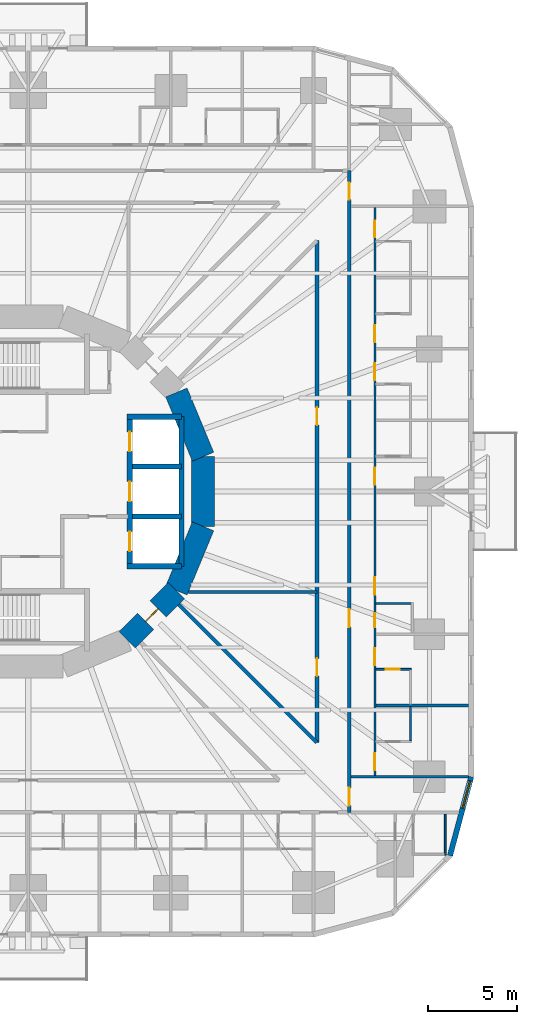
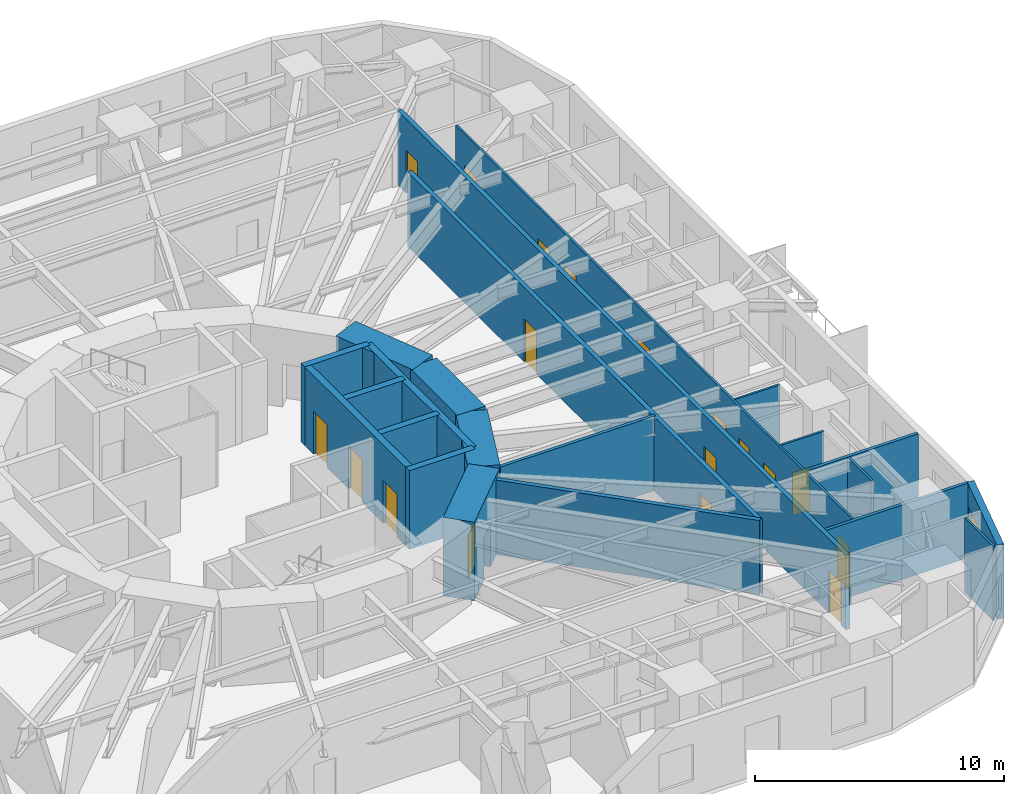
# One storey, part 8 of 14: 22 walls, 18 doors, 1 window, 19 openings.
"""IFC4 building model written with IfcOpenShell, lengths in metres."""

from ifc_helpers import new_model, si_unit, direction, frame, frame_2d, origin, place, context, subcontext, project, spatial, rectangle, extrude, material, layer, layer_set, type_object, element, fill, save


model = new_model("IFC4")

# Units and contexts
model_context = context("Model", 3, precision=1e-05, world=origin(), true_north=direction((0.0, 1.0)))
body_context = subcontext(model_context, "Body", "Model", "MODEL_VIEW")
ifc_project = project(units=[si_unit("LENGTHUNIT", "METRE"), si_unit("AREAUNIT", "SQUARE_METRE"), si_unit("VOLUMEUNIT", "CUBIC_METRE"), si_unit("PLANEANGLEUNIT", "RADIAN"), si_unit("MASSUNIT", "GRAM", prefix="KILO")], contexts=[model_context])

# Site, building, storey
site_placement = place(None, origin())
site = spatial("IfcSite", under=ifc_project, at=site_placement, CompositionType="ELEMENT")
building_placement = place(site_placement, origin())
building = spatial("IfcBuilding", under=site, at=building_placement, Name="Nakasero Lantern House", CompositionType="ELEMENT")
storey_placement = place(building_placement, frame((0.0, 0.0, 39.10009765625)))
storey = spatial("IfcBuildingStorey", under=building, at=storey_placement, Name="L09", CompositionType="ELEMENT", Elevation=39.10009765625)

# Wall, openings, doors
ifc_material_1 = material(Name="Blockwork", Category="masonry")
ifc_layer_1 = layer(ifc_material_1, 0.10009765625)
ifc_layer_set_1 = layer_set([ifc_layer_1], Name="Cluster hall wall 100")
wall_type_1 = type_object("IfcWallType", Name="Cluster hall wall 100", PredefinedType="PARTITIONING", material=ifc_layer_set_1)
wall_1_placement = place(storey_placement, frame((19.449951171875, -15.925048828125, 0.0), z_axis=(0.0, 0.0, 1.0), x_axis=(0.0, 1.0, 0.0)))
wall_1 = element("IfcWall", 1, at=wall_1_placement, inside=storey, type_object=wall_type_1, Name="Cluster hall wall L09 HW0-0", PredefinedType="PARTITIONING", context=body_context, shape_type="SweptSolid", body=[
    extrude(rectangle(XDim=31.85009765625, YDim=0.10009765625, at=frame_2d((15.925048828125, 0.0))), origin(), (0.0, 0.0, 1.0), 3.64990234375),
])
opening_1_placement = place(wall_1_placement, frame((10.125, 0.0, 0.0)))
opening_1 = element("IfcOpeningElement", 2, at=opening_1_placement, cuts=wall_1, Name="Opening D03", PredefinedType="OPENING", context=body_context, shape_type="SweptSolid", body=[
    extrude(rectangle(XDim=1.0, YDim=2.10009765625, at=frame_2d((0.5, 1.050048828125))), frame((0.0, 0.070068359375, 0.0), z_axis=(0.0, -1.0, 0.0), x_axis=(1.0, 0.0, 0.0)), (0.0, 0.0, 1.0), 0.14013671875),
])
opening_2_placement = place(wall_1_placement, frame((8.300048828125, 0.0, 0.0)))
opening_2 = element("IfcOpeningElement", 3, at=opening_2_placement, cuts=wall_1, Name="Opening D02", PredefinedType="OPENING", context=body_context, shape_type="SweptSolid", body=[
    extrude(rectangle(XDim=0.800048828125, YDim=2.10009765625, at=frame_2d((0.39990234375, 1.050048828125))), frame((0.0, 0.070068359375, 0.0), z_axis=(0.0, -1.0, 0.0), x_axis=(1.0, 0.0, 0.0)), (0.0, 0.0, 1.0), 0.14013671875),
])
opening_3_placement = place(wall_1_placement, frame((0.300048828125, 0.0, 0.0)))
opening_3 = element("IfcOpeningElement", 4, at=opening_3_placement, cuts=wall_1, Name="Opening D01", PredefinedType="OPENING", context=body_context, shape_type="SweptSolid", body=[
    extrude(rectangle(XDim=0.949951171875, YDim=2.10009765625, at=frame_2d((0.47509765625, 1.050048828125))), frame((0.0, 0.070068359375, 0.0), z_axis=(0.0, -1.0, 0.0), x_axis=(1.0, 0.0, 0.0)), (0.0, 0.0, 1.0), 0.14013671875),
])
opening_4_placement = place(wall_1_placement, frame((6.175048828125, 0.0, 0.0)))
opening_4 = element("IfcOpeningElement", 5, at=opening_4_placement, cuts=wall_1, Name="Opening D01", PredefinedType="OPENING", context=body_context, shape_type="SweptSolid", body=[
    extrude(rectangle(XDim=0.949951171875, YDim=2.10009765625, at=frame_2d((0.47509765625, 1.050048828125))), frame((0.0, 0.070068359375, 0.0), z_axis=(0.0, -1.0, 0.0), x_axis=(1.0, 0.0, 0.0)), (0.0, 0.0, 1.0), 0.14013671875),
])
opening_5_placement = place(wall_1_placement, frame((16.300048828125, 0.0, 0.0)))
opening_5 = element("IfcOpeningElement", 6, at=opening_5_placement, cuts=wall_1, Name="Opening D01", PredefinedType="OPENING", context=body_context, shape_type="SweptSolid", body=[
    extrude(rectangle(XDim=0.949951171875, YDim=2.10009765625, at=frame_2d((0.47509765625, 1.050048828125))), frame((0.0, 0.070068359375, 0.0), z_axis=(0.0, -1.0, 0.0), x_axis=(1.0, 0.0, 0.0)), (0.0, 0.0, 1.0), 0.14013671875),
])
opening_6_placement = place(wall_1_placement, frame((22.175048828125, 0.0, 0.0)))
opening_6 = element("IfcOpeningElement", 7, at=opening_6_placement, cuts=wall_1, Name="Opening D01", PredefinedType="OPENING", context=body_context, shape_type="SweptSolid", body=[
    extrude(rectangle(XDim=0.949951171875, YDim=2.10009765625, at=frame_2d((0.47509765625, 1.050048828125))), frame((0.0, 0.070068359375, 0.0), z_axis=(0.0, -1.0, 0.0), x_axis=(1.0, 0.0, 0.0)), (0.0, 0.0, 1.0), 0.14013671875),
])
opening_7_placement = place(wall_1_placement, frame((24.300048828125, 0.0, 0.0)))
opening_7 = element("IfcOpeningElement", 8, at=opening_7_placement, cuts=wall_1, Name="Opening D01", PredefinedType="OPENING", context=body_context, shape_type="SweptSolid", body=[
    extrude(rectangle(XDim=0.949951171875, YDim=2.10009765625, at=frame_2d((0.47509765625, 1.050048828125))), frame((0.0, 0.070068359375, 0.0), z_axis=(0.0, -1.0, 0.0), x_axis=(1.0, 0.0, 0.0)), (0.0, 0.0, 1.0), 0.14013671875),
])
opening_8_placement = place(wall_1_placement, frame((30.175048828125, 0.0, 0.0)))
opening_8 = element("IfcOpeningElement", 9, at=opening_8_placement, cuts=wall_1, Name="Opening D01", PredefinedType="OPENING", context=body_context, shape_type="SweptSolid", body=[
    extrude(rectangle(XDim=0.949951171875, YDim=2.10009765625, at=frame_2d((0.47509765625, 1.050048828125))), frame((0.0, 0.070068359375, 0.0), z_axis=(0.0, -1.0, 0.0), x_axis=(1.0, 0.0, 0.0)), (0.0, 0.0, 1.0), 0.14013671875),
])
ifc_material_2 = material(Name="Timber C24", Category="wood")
door_type_1 = type_object("IfcDoorType", Name="Bedroom door FD30S 950", OperationType="SINGLE_SWING_LEFT", PredefinedType="DOOR", material=ifc_material_2)
door_1_placement = place(opening_3_placement, origin())
door_1 = element("IfcDoor", 10, at=door_1_placement, inside=storey, type_object=door_type_1, Name="Door L09 D0-01", OperationType="SINGLE_SWING_LEFT", OverallHeight=2.10009765625, OverallWidth=0.949951171875, PredefinedType="DOOR", context=body_context, shape_type="SweptSolid", body=[
    extrude(rectangle(XDim=0.949951171875, YDim=2.10009765625, at=frame_2d((0.47509765625, 1.050048828125))), frame((0.0, 0.02490234375, 0.0), z_axis=(0.0, -1.0, 0.0), x_axis=(1.0, 0.0, 0.0)), (0.0, 0.0, 1.0), 0.050048828125),
])
fill(opening_3, door_1)
door_2_placement = place(opening_4_placement, origin())
door_2 = element("IfcDoor", 11, at=door_2_placement, inside=storey, type_object=door_type_1, Name="Door L09 D0-02", OperationType="SINGLE_SWING_LEFT", OverallHeight=2.10009765625, OverallWidth=0.949951171875, PredefinedType="DOOR", context=body_context, shape_type="SweptSolid", body=[
    extrude(rectangle(XDim=0.949951171875, YDim=2.10009765625, at=frame_2d((0.47509765625, 1.050048828125))), frame((0.0, 0.02490234375, 0.0), z_axis=(0.0, -1.0, 0.0), x_axis=(1.0, 0.0, 0.0)), (0.0, 0.0, 1.0), 0.050048828125),
])
fill(opening_4, door_2)
door_3_placement = place(opening_5_placement, origin())
door_3 = element("IfcDoor", 12, at=door_3_placement, inside=storey, type_object=door_type_1, Name="Door L09 D0-05", OperationType="SINGLE_SWING_RIGHT", OverallHeight=2.10009765625, OverallWidth=0.949951171875, PredefinedType="DOOR", context=body_context, shape_type="SweptSolid", body=[
    extrude(rectangle(XDim=0.949951171875, YDim=2.10009765625, at=frame_2d((0.47509765625, 1.050048828125))), frame((0.0, 0.02490234375, 0.0), z_axis=(0.0, -1.0, 0.0), x_axis=(1.0, 0.0, 0.0)), (0.0, 0.0, 1.0), 0.050048828125),
])
fill(opening_5, door_3)
door_4_placement = place(opening_6_placement, origin())
door_4 = element("IfcDoor", 13, at=door_4_placement, inside=storey, type_object=door_type_1, Name="Door L09 D0-06", OperationType="SINGLE_SWING_RIGHT", OverallHeight=2.10009765625, OverallWidth=0.949951171875, PredefinedType="DOOR", context=body_context, shape_type="SweptSolid", body=[
    extrude(rectangle(XDim=0.949951171875, YDim=2.10009765625, at=frame_2d((0.47509765625, 1.050048828125))), frame((0.0, 0.02490234375, 0.0), z_axis=(0.0, -1.0, 0.0), x_axis=(1.0, 0.0, 0.0)), (0.0, 0.0, 1.0), 0.050048828125),
])
fill(opening_6, door_4)
door_5_placement = place(opening_7_placement, origin())
door_5 = element("IfcDoor", 14, at=door_5_placement, inside=storey, type_object=door_type_1, Name="Door L09 D0-07", OperationType="SINGLE_SWING_RIGHT", OverallHeight=2.10009765625, OverallWidth=0.949951171875, PredefinedType="DOOR", context=body_context, shape_type="SweptSolid", body=[
    extrude(rectangle(XDim=0.949951171875, YDim=2.10009765625, at=frame_2d((0.47509765625, 1.050048828125))), frame((0.0, 0.02490234375, 0.0), z_axis=(0.0, -1.0, 0.0), x_axis=(1.0, 0.0, 0.0)), (0.0, 0.0, 1.0), 0.050048828125),
])
fill(opening_7, door_5)
door_6_placement = place(opening_8_placement, origin())
door_6 = element("IfcDoor", 15, at=door_6_placement, inside=storey, type_object=door_type_1, Name="Door L09 D0-08", OperationType="SINGLE_SWING_RIGHT", OverallHeight=2.10009765625, OverallWidth=0.949951171875, PredefinedType="DOOR", context=body_context, shape_type="SweptSolid", body=[
    extrude(rectangle(XDim=0.949951171875, YDim=2.10009765625, at=frame_2d((0.47509765625, 1.050048828125))), frame((0.0, 0.02490234375, 0.0), z_axis=(0.0, -1.0, 0.0), x_axis=(1.0, 0.0, 0.0)), (0.0, 0.0, 1.0), 0.050048828125),
])
fill(opening_8, door_6)
ifc_material_3 = material(Name="Timber C24", Category="wood")
door_type_2 = type_object("IfcDoorType", Name="En-suite door 800", OperationType="SINGLE_SWING_RIGHT", PredefinedType="DOOR", material=ifc_material_3)
door_7_placement = place(opening_2_placement, origin())
door_7 = element("IfcDoor", 16, at=door_7_placement, inside=storey, type_object=door_type_2, Name="Door L09 DSH0-0", OperationType="SINGLE_SWING_LEFT", OverallHeight=2.10009765625, OverallWidth=0.800048828125, PredefinedType="DOOR", context=body_context, shape_type="SweptSolid", body=[
    extrude(rectangle(XDim=0.800048828125, YDim=2.10009765625, at=frame_2d((0.39990234375, 1.050048828125))), frame((0.0, 0.02490234375, 0.0), z_axis=(0.0, -1.0, 0.0), x_axis=(1.0, 0.0, 0.0)), (0.0, 0.0, 1.0), 0.050048828125),
])
fill(opening_2, door_7)
ifc_material_4 = material(Name="Timber C24", Category="wood")
door_type_3 = type_object("IfcDoorType", Name="Lounge door FD30S 1000", OperationType="SINGLE_SWING_LEFT", PredefinedType="DOOR", material=ifc_material_4)
door_8_placement = place(opening_1_placement, origin())
door_8 = element("IfcDoor", 17, at=door_8_placement, inside=storey, type_object=door_type_3, Name="Door L09 DH0-0", OperationType="SINGLE_SWING_LEFT", OverallHeight=2.10009765625, OverallWidth=1.0, PredefinedType="DOOR", context=body_context, shape_type="SweptSolid", body=[
    extrude(rectangle(XDim=1.0, YDim=2.10009765625, at=frame_2d((0.5, 1.050048828125))), frame((0.0, 0.02490234375, 0.0), z_axis=(0.0, -1.0, 0.0), x_axis=(1.0, 0.0, 0.0)), (0.0, 0.0, 1.0), 0.050048828125),
])
fill(opening_1, door_8)

ifc_material_5 = material(Name="Concrete C50/60", Category="concrete")
ifc_layer_2 = layer(ifc_material_5, 0.300048828125)
ifc_layer_set_2 = layer_set([ifc_layer_2], Name="Core inner wall 300")
wall_type_2 = type_object("IfcWallType", Name="Core inner wall 300", PredefinedType="SHEAR", material=ifc_layer_set_2)
wall_2_placement = place(storey_placement, frame((5.699951171875, -4.199951171875, 0.0), z_axis=(0.0, 0.0, 1.0), x_axis=(0.0, 1.0, 0.0)))
wall_2 = element("IfcWall", 18, at=wall_2_placement, inside=storey, type_object=wall_type_2, Name="Core inner wall L09 LE", PredefinedType="SHEAR", context=body_context, shape_type="SweptSolid", body=[
    extrude(rectangle(XDim=8.39990234375, YDim=0.300048828125, at=frame_2d((4.199951171875, 0.0))), origin(), (0.0, 0.0, 1.0), 3.849853515625),
])
opening_9_placement = place(wall_2_placement, frame((0.85009765625, 0.0, 0.0)))
opening_9 = element("IfcOpeningElement", 19, at=opening_9_placement, cuts=wall_2, Name="Opening LD", PredefinedType="OPENING", context=body_context, shape_type="SweptSolid", body=[
    extrude(rectangle(XDim=1.10009765625, YDim=2.10009765625, at=frame_2d((0.550048828125, 1.050048828125))), frame((0.0, 0.169921875, 0.0), z_axis=(0.0, -1.0, 0.0), x_axis=(1.0, 0.0, 0.0)), (0.0, 0.0, 1.0), 0.340087890625),
])
opening_10_placement = place(wall_2_placement, frame((3.64990234375, 0.0, 0.0)))
opening_10 = element("IfcOpeningElement", 20, at=opening_10_placement, cuts=wall_2, Name="Opening LD", PredefinedType="OPENING", context=body_context, shape_type="SweptSolid", body=[
    extrude(rectangle(XDim=1.10009765625, YDim=2.10009765625, at=frame_2d((0.550048828125, 1.050048828125))), frame((0.0, 0.169921875, 0.0), z_axis=(0.0, -1.0, 0.0), x_axis=(1.0, 0.0, 0.0)), (0.0, 0.0, 1.0), 0.340087890625),
])
opening_11_placement = place(wall_2_placement, frame((6.449951171875, 0.0, 0.0)))
opening_11 = element("IfcOpeningElement", 21, at=opening_11_placement, cuts=wall_2, Name="Opening LD", PredefinedType="OPENING", context=body_context, shape_type="SweptSolid", body=[
    extrude(rectangle(XDim=1.10009765625, YDim=2.10009765625, at=frame_2d((0.550048828125, 1.050048828125))), frame((0.0, 0.169921875, 0.0), z_axis=(0.0, -1.0, 0.0), x_axis=(1.0, 0.0, 0.0)), (0.0, 0.0, 1.0), 0.340087890625),
])
ifc_material_6 = material(Name="Steel S355", Category="steel")
door_type_4 = type_object("IfcDoorType", Name="Lift landing door E120 1100", OperationType="SLIDING_TO_LEFT", PredefinedType="DOOR", material=ifc_material_6)
door_9_placement = place(opening_9_placement, origin())
door_9 = element("IfcDoor", 22, at=door_9_placement, inside=storey, type_object=door_type_4, Name="Lift landing door LE1", OperationType="SLIDING_TO_LEFT", OverallHeight=2.10009765625, OverallWidth=1.10009765625, PredefinedType="DOOR", context=body_context, shape_type="SweptSolid", body=[
    extrude(rectangle(XDim=1.10009765625, YDim=2.10009765625, at=frame_2d((0.550048828125, 1.050048828125))), frame((0.0, 0.02490234375, 0.0), z_axis=(0.0, -1.0, 0.0), x_axis=(1.0, 0.0, 0.0)), (0.0, 0.0, 1.0), 0.050048828125),
])
fill(opening_9, door_9)
door_10_placement = place(opening_10_placement, origin())
door_10 = element("IfcDoor", 23, at=door_10_placement, inside=storey, type_object=door_type_4, Name="Lift landing door LE2", OperationType="SLIDING_TO_LEFT", OverallHeight=2.10009765625, OverallWidth=1.10009765625, PredefinedType="DOOR", context=body_context, shape_type="SweptSolid", body=[
    extrude(rectangle(XDim=1.10009765625, YDim=2.10009765625, at=frame_2d((0.550048828125, 1.050048828125))), frame((0.0, 0.02490234375, 0.0), z_axis=(0.0, -1.0, 0.0), x_axis=(1.0, 0.0, 0.0)), (0.0, 0.0, 1.0), 0.050048828125),
])
fill(opening_10, door_10)
door_11_placement = place(opening_11_placement, origin())
door_11 = element("IfcDoor", 24, at=door_11_placement, inside=storey, type_object=door_type_4, Name="Lift landing door LE3", OperationType="SLIDING_TO_LEFT", OverallHeight=2.10009765625, OverallWidth=1.10009765625, PredefinedType="DOOR", context=body_context, shape_type="SweptSolid", body=[
    extrude(rectangle(XDim=1.10009765625, YDim=2.10009765625, at=frame_2d((0.550048828125, 1.050048828125))), frame((0.0, 0.02490234375, 0.0), z_axis=(0.0, -1.0, 0.0), x_axis=(1.0, 0.0, 0.0)), (0.0, 0.0, 1.0), 0.050048828125),
])
fill(opening_11, door_11)

# Walls
for number, where, z_axis, x_axis, name in (
    (25, (5.550048828125, 4.199951171875, 0.0), (0.0, 0.0, 1.0), (1.0, 0.0, 0.0), "Core inner wall L09 LEN"),
    (26, (5.550048828125, -4.199951171875, 0.0), (0.0, 0.0, 1.0), (1.0, 0.0, 0.0), "Core inner wall L09 LES"),
):
    element("IfcWall", number, at=place(storey_placement, frame(where, z_axis=z_axis, x_axis=x_axis)), inside=storey, type_object=wall_type_2, Name=name, PredefinedType="SHEAR", context=body_context, shape_type="SweptSolid", body=[
        extrude(rectangle(XDim=3.050048828125, YDim=0.300048828125, at=frame_2d((1.52490234375, 0.0))), origin(), (0.0, 0.0, 1.0), 3.849853515625),
    ])
wall_3_placement = place(storey_placement, frame((8.60009765625, -4.199951171875, 0.0), z_axis=(0.0, 0.0, 1.0), x_axis=(0.0, 1.0, 0.0)))
element("IfcWall", 27, at=wall_3_placement, inside=storey, type_object=wall_type_2, Name="Core inner wall L09 LEB", PredefinedType="SHEAR", context=body_context, shape_type="SweptSolid", body=[
    extrude(rectangle(XDim=8.39990234375, YDim=0.300048828125, at=frame_2d((4.199951171875, 0.0))), origin(), (0.0, 0.0, 1.0), 3.849853515625),
])
for number, where, z_axis, x_axis, name in (
    (28, (5.85009765625, -1.39990234375, 0.0), (0.0, 0.0, 1.0), (1.0, 0.0, 0.0), "Core inner wall L09 LE1"),
    (29, (5.85009765625, 1.39990234375, 0.0), (0.0, 0.0, 1.0), (1.0, 0.0, 0.0), "Core inner wall L09 LE2"),
):
    element("IfcWall", number, at=place(storey_placement, frame(where, z_axis=z_axis, x_axis=x_axis)), inside=storey, type_object=wall_type_2, Name=name, PredefinedType="SHEAR", context=body_context, shape_type="SweptSolid", body=[
        extrude(rectangle(XDim=2.75, YDim=0.300048828125, at=frame_2d((1.375, 0.0))), origin(), (0.0, 0.0, 1.0), 3.849853515625),
    ])
ifc_material_7 = material(Name="Concrete C50/60", Category="concrete")
ifc_layer_3 = layer(ifc_material_7, 1.300048828125)
ifc_layer_set_3 = layer_set([ifc_layer_3], Name="Core wall 1300")
wall_type_3 = type_object("IfcWallType", Name="Core wall 1300", PredefinedType="SHEAR", material=ifc_layer_set_3)
wall_4_placement = place(storey_placement, frame((9.807861328125, 1.950927734375, 0.0), z_axis=(0.0, 0.0, 1.0), x_axis=(-0.382690736062, 0.923876507187, 0.0)))
element("IfcWall", 30, at=wall_4_placement, inside=storey, type_object=wall_type_3, Name="Core wall L09 facet 1", PredefinedType="SHEAR", context=body_context, shape_type="SweptSolid", body=[
    extrude(rectangle(XDim=3.90185546875, YDim=1.300048828125, at=frame_2d((1.950927734375, 0.0))), origin(), (0.0, 0.0, 1.0), 3.849853515625),
])

# Wall, opening, door
wall_5_placement = place(storey_placement, frame((5.5556640625, -8.314697265625, 0.0), z_axis=(0.0, 0.0, 1.0), x_axis=(0.707106781187, 0.707106781187, 0.0)))
wall_5 = element("IfcWall", 31, at=wall_5_placement, inside=storey, type_object=wall_type_3, Name="Core wall L09 facet 14", PredefinedType="SHEAR", context=body_context, shape_type="SweptSolid", body=[
    extrude(rectangle(XDim=3.90185546875, YDim=1.300048828125, at=frame_2d((1.950927734375, 0.0))), origin(), (0.0, 0.0, 1.0), 3.849853515625),
])
opening_12_placement = place(wall_5_placement, frame((1.450927734375, 0.0, 0.0)))
opening_12 = element("IfcOpeningElement", 32, at=opening_12_placement, cuts=wall_5, Name="Opening D05", PredefinedType="OPENING", context=body_context, shape_type="SweptSolid", body=[
    extrude(rectangle(XDim=1.0, YDim=2.10009765625, at=frame_2d((0.5, 1.050048828125))), frame((0.0, 0.669921875, 0.0), z_axis=(0.0, -1.0, 0.0), x_axis=(1.0, 0.0, 0.0)), (0.0, 0.0, 1.0), 1.340087890625),
])
ifc_material_8 = material(Name="Timber C24", Category="wood")
door_type_5 = type_object("IfcDoorType", Name="Core door FD60S 1000", OperationType="SINGLE_SWING_LEFT", PredefinedType="DOOR", material=ifc_material_8)
door_12_placement = place(opening_12_placement, origin())
door_12 = element("IfcDoor", 33, at=door_12_placement, inside=storey, type_object=door_type_5, Name="Door L09 D-CORE14", OperationType="SINGLE_SWING_LEFT", OverallHeight=2.10009765625, OverallWidth=1.0, PredefinedType="DOOR", context=body_context, shape_type="SweptSolid", body=[
    extrude(rectangle(XDim=1.0, YDim=2.10009765625, at=frame_2d((0.5, 1.050048828125))), frame((0.0, 0.02490234375, 0.0), z_axis=(0.0, -1.0, 0.0), x_axis=(1.0, 0.0, 0.0)), (0.0, 0.0, 1.0), 0.050048828125),
])
fill(opening_12, door_12)

# Walls
for number, where, z_axis, x_axis, name in (
    (34, (8.314697265625, -5.5556640625, 0.0), (0.0, 0.0, 1.0), (0.382690736062, 0.923876507187, 0.0), "Core wall L09 facet 15"),
    (35, (9.807861328125, -1.950927734375, 0.0), (0.0, 0.0, 1.0), (0.0, 1.0, 0.0), "Core wall L09 facet 16"),
):
    element("IfcWall", number, at=place(storey_placement, frame(where, z_axis=z_axis, x_axis=x_axis)), inside=storey, type_object=wall_type_3, Name=name, PredefinedType="SHEAR", context=body_context, shape_type="SweptSolid", body=[
        extrude(rectangle(XDim=3.90185546875, YDim=1.300048828125, at=frame_2d((1.950927734375, 0.0))), origin(), (0.0, 0.0, 1.0), 3.849853515625),
    ])

# Wall, openings, doors
ifc_material_9 = material(Name="Blockwork", Category="masonry")
ifc_layer_4 = layer(ifc_material_9, 0.199951171875)
ifc_layer_set_4 = layer_set([ifc_layer_4], Name="Corridor wall 200")
wall_type_4 = type_object("IfcWallType", Name="Corridor wall 200", PredefinedType="PARTITIONING", material=ifc_layer_set_4)
wall_6_placement = place(storey_placement, frame((18.0, -18.0, 0.0), z_axis=(0.0, 0.0, 1.0), x_axis=(0.0, 1.0, 0.0)))
wall_6 = element("IfcWall", 36, at=wall_6_placement, inside=storey, type_object=wall_type_4, Name="Corridor wall L09 CW0", PredefinedType="PARTITIONING", context=body_context, shape_type="SweptSolid", body=[
    extrude(rectangle(XDim=36.0, YDim=0.199951171875, at=frame_2d((18.0, 0.0))), origin(), (0.0, 0.0, 1.0), 3.64990234375),
])
opening_13_placement = place(wall_6_placement, frame((10.39990234375, 0.0, 0.0)))
opening_13 = element("IfcOpeningElement", 37, at=opening_13_placement, cuts=wall_6, Name="Opening D14", PredefinedType="OPENING", context=body_context, shape_type="SweptSolid", body=[
    extrude(rectangle(XDim=1.0, YDim=2.10009765625, at=frame_2d((0.5, 1.050048828125))), frame((0.0, 0.119873046875, 0.0), z_axis=(0.0, -1.0, 0.0), x_axis=(1.0, 0.0, 0.0)), (0.0, 0.0, 1.0), 0.239990234375),
])
opening_14_placement = place(wall_6_placement, frame((0.375, 0.0, 0.0)))
opening_14 = element("IfcOpeningElement", 38, at=opening_14_placement, cuts=wall_6, Name="Opening D07", PredefinedType="OPENING", context=body_context, shape_type="SweptSolid", body=[
    extrude(rectangle(XDim=1.0, YDim=2.10009765625, at=frame_2d((0.5, 1.050048828125))), frame((0.0, 0.119873046875, 0.0), z_axis=(0.0, -1.0, 0.0), x_axis=(1.0, 0.0, 0.0)), (0.0, 0.0, 1.0), 0.239990234375),
])
opening_15_placement = place(wall_6_placement, frame((34.375, 0.0, 0.0)))
opening_15 = element("IfcOpeningElement", 39, at=opening_15_placement, cuts=wall_6, Name="Opening D01", PredefinedType="OPENING", context=body_context, shape_type="SweptSolid", body=[
    extrude(rectangle(XDim=0.949951171875, YDim=2.10009765625, at=frame_2d((0.47509765625, 1.050048828125))), frame((0.0, 0.119873046875, 0.0), z_axis=(0.0, -1.0, 0.0), x_axis=(1.0, 0.0, 0.0)), (0.0, 0.0, 1.0), 0.239990234375),
])
door_13_placement = place(opening_15_placement, origin())
door_13 = element("IfcDoor", 40, at=door_13_placement, inside=storey, type_object=door_type_1, Name="Door L09 D0-09", OperationType="SINGLE_SWING_RIGHT", OverallHeight=2.10009765625, OverallWidth=0.949951171875, PredefinedType="DOOR", context=body_context, shape_type="SweptSolid", body=[
    extrude(rectangle(XDim=0.949951171875, YDim=2.10009765625, at=frame_2d((0.47509765625, 1.050048828125))), frame((0.0, 0.02490234375, 0.0), z_axis=(0.0, -1.0, 0.0), x_axis=(1.0, 0.0, 0.0)), (0.0, 0.0, 1.0), 0.050048828125),
])
fill(opening_15, door_13)
ifc_material_10 = material(Name="Timber C24", Category="wood")
door_type_6 = type_object("IfcDoorType", Name="Cluster entrance door FD30S 1000", OperationType="SINGLE_SWING_LEFT", PredefinedType="DOOR", material=ifc_material_10)
door_14_placement = place(opening_13_placement, origin())
door_14 = element("IfcDoor", 41, at=door_14_placement, inside=storey, type_object=door_type_6, Name="Door L09 DF0-0", OperationType="SINGLE_SWING_LEFT", OverallHeight=2.10009765625, OverallWidth=1.0, PredefinedType="DOOR", context=body_context, shape_type="SweptSolid", body=[
    extrude(rectangle(XDim=1.0, YDim=2.10009765625, at=frame_2d((0.5, 1.050048828125))), frame((0.0, 0.02490234375, 0.0), z_axis=(0.0, -1.0, 0.0), x_axis=(1.0, 0.0, 0.0)), (0.0, 0.0, 1.0), 0.050048828125),
])
fill(opening_13, door_14)
ifc_material_11 = material(Name="Timber C24", Category="wood")
door_type_7 = type_object("IfcDoorType", Name="Room door FD30S 1000", OperationType="SINGLE_SWING_LEFT", PredefinedType="DOOR", material=ifc_material_11)
door_15_placement = place(opening_14_placement, origin())
door_15 = element("IfcDoor", 42, at=door_15_placement, inside=storey, type_object=door_type_7, Name="Door L09 D0-00", OperationType="SINGLE_SWING_LEFT", OverallHeight=2.10009765625, OverallWidth=1.0, PredefinedType="DOOR", context=body_context, shape_type="SweptSolid", body=[
    extrude(rectangle(XDim=1.0, YDim=2.10009765625, at=frame_2d((0.5, 1.050048828125))), frame((0.0, 0.02490234375, 0.0), z_axis=(0.0, -1.0, 0.0), x_axis=(1.0, 0.0, 0.0)), (0.0, 0.0, 1.0), 0.050048828125),
])
fill(opening_14, door_15)

wall_7_placement = place(storey_placement, frame((16.199951171875, -14.07861328125, 0.0), z_axis=(0.0, 0.0, 1.0), x_axis=(0.0, 1.0, 0.0)))
wall_7 = element("IfcWall", 43, at=wall_7_placement, inside=storey, type_object=wall_type_4, Name="Corridor wall L09 IW0-0", PredefinedType="PARTITIONING", context=body_context, shape_type="SweptSolid", body=[
    extrude(rectangle(XDim=28.1572265625, YDim=0.199951171875, at=frame_2d((14.07861328125, 0.0))), origin(), (0.0, 0.0, 1.0), 3.64990234375),
])
opening_16_placement = place(wall_7_placement, frame((3.7236328125, 0.0, 0.0)))
opening_16 = element("IfcOpeningElement", 44, at=opening_16_placement, cuts=wall_7, Name="Opening D07", PredefinedType="OPENING", context=body_context, shape_type="SweptSolid", body=[
    extrude(rectangle(XDim=1.0, YDim=2.10009765625, at=frame_2d((0.5, 1.050048828125))), frame((0.0, 0.119873046875, 0.0), z_axis=(0.0, -1.0, 0.0), x_axis=(1.0, 0.0, 0.0)), (0.0, 0.0, 1.0), 0.239990234375),
])
opening_17_placement = place(wall_7_placement, frame((17.80224609375, 0.0, 0.0)))
opening_17 = element("IfcOpeningElement", 45, at=opening_17_placement, cuts=wall_7, Name="Opening D07", PredefinedType="OPENING", context=body_context, shape_type="SweptSolid", body=[
    extrude(rectangle(XDim=1.0, YDim=2.10009765625, at=frame_2d((0.5, 1.050048828125))), frame((0.0, 0.119873046875, 0.0), z_axis=(0.0, -1.0, 0.0), x_axis=(1.0, 0.0, 0.0)), (0.0, 0.0, 1.0), 0.239990234375),
])
door_16_placement = place(opening_16_placement, origin())
door_16 = element("IfcDoor", 46, at=door_16_placement, inside=storey, type_object=door_type_7, Name="Door L09 DI1", OperationType="SINGLE_SWING_LEFT", OverallHeight=2.10009765625, OverallWidth=1.0, PredefinedType="DOOR", context=body_context, shape_type="SweptSolid", body=[
    extrude(rectangle(XDim=1.0, YDim=2.10009765625, at=frame_2d((0.5, 1.050048828125))), frame((0.0, 0.02490234375, 0.0), z_axis=(0.0, -1.0, 0.0), x_axis=(1.0, 0.0, 0.0)), (0.0, 0.0, 1.0), 0.050048828125),
])
fill(opening_16, door_16)
door_17_placement = place(opening_17_placement, origin())
door_17 = element("IfcDoor", 47, at=door_17_placement, inside=storey, type_object=door_type_7, Name="Door L09 DI1S", OperationType="SINGLE_SWING_RIGHT", OverallHeight=2.10009765625, OverallWidth=1.0, PredefinedType="DOOR", context=body_context, shape_type="SweptSolid", body=[
    extrude(rectangle(XDim=1.0, YDim=2.10009765625, at=frame_2d((0.5, 1.050048828125))), frame((0.0, 0.02490234375, 0.0), z_axis=(0.0, -1.0, 0.0), x_axis=(1.0, 0.0, 0.0)), (0.0, 0.0, 1.0), 0.050048828125),
])
fill(opening_17, door_17)

# Walls
wall_8_placement = place(storey_placement, frame((8.45556640625, -6.334228515625, 0.0), z_axis=(0.0, 0.0, 1.0), x_axis=(0.707106781187, -0.707106781187, 0.0)))
element("IfcWall", 48, at=wall_8_placement, inside=storey, type_object=wall_type_4, Name="Corridor wall L09 PS14a", PredefinedType="PARTITIONING", context=body_context, shape_type="SweptSolid", body=[
    extrude(rectangle(XDim=10.9521484375, YDim=0.199951171875, at=frame_2d((5.47607421875, 0.0))), origin(), (0.0, 0.0, 1.0), 3.64990234375),
])
ifc_material_12 = material(Name="Blockwork", Category="masonry")
ifc_layer_5 = layer(ifc_material_12, 0.10009765625)
ifc_layer_set_5 = layer_set([ifc_layer_5], Name="En-suite wall 100")
wall_type_5 = type_object("IfcWallType", Name="En-suite wall 100", PredefinedType="PARTITIONING", material=ifc_layer_set_5)
wall_9_placement = place(storey_placement, frame((19.5, -6.27490234375, 0.0), z_axis=(0.0, 0.0, 1.0), x_axis=(1.0, 0.0, 0.0)))
element("IfcWall", 49, at=wall_9_placement, inside=storey, type_object=wall_type_5, Name="En-suite wall L09 SS0-0", PredefinedType="PARTITIONING", context=body_context, shape_type="SweptSolid", body=[
    extrude(rectangle(XDim=2.10009765625, YDim=0.10009765625, at=frame_2d((1.050048828125, 0.0))), origin(), (0.0, 0.0, 1.0), 3.64990234375),
])
wall_10_placement = place(storey_placement, frame((21.449951171875, -13.97509765625, 0.0), z_axis=(0.0, 0.0, 1.0), x_axis=(0.0, 1.0, 0.0)))
element("IfcWall", 50, at=wall_10_placement, inside=storey, type_object=wall_type_5, Name="En-suite wall L09 EE0-01", PredefinedType="PARTITIONING", context=body_context, shape_type="SweptSolid", body=[
    extrude(rectangle(XDim=1.900146484375, YDim=0.10009765625, at=frame_2d((0.9501953125, 0.0))), origin(), (0.0, 0.0, 1.0), 3.64990234375),
])

# Wall, opening, door
wall_11_placement = place(storey_placement, frame((19.5, -9.97509765625, 0.0), z_axis=(0.0, 0.0, 1.0), x_axis=(1.0, 0.0, 0.0)))
wall_11 = element("IfcWall", 51, at=wall_11_placement, inside=storey, type_object=wall_type_5, Name="En-suite wall L09 ES0-02", PredefinedType="PARTITIONING", context=body_context, shape_type="SweptSolid", body=[
    extrude(rectangle(XDim=2.0, YDim=0.10009765625, at=frame_2d((1.0, 0.0))), origin(), (0.0, 0.0, 1.0), 3.64990234375),
])
opening_18_placement = place(wall_11_placement, frame((0.550048828125, 0.0, 0.0)))
opening_18 = element("IfcOpeningElement", 52, at=opening_18_placement, cuts=wall_11, Name="Opening D02", PredefinedType="OPENING", context=body_context, shape_type="SweptSolid", body=[
    extrude(rectangle(XDim=0.800048828125, YDim=2.10009765625, at=frame_2d((0.39990234375, 1.050048828125))), frame((0.0, 0.070068359375, 0.0), z_axis=(0.0, -1.0, 0.0), x_axis=(1.0, 0.0, 0.0)), (0.0, 0.0, 1.0), 0.14013671875),
])
door_18_placement = place(opening_18_placement, origin())
door_18 = element("IfcDoor", 53, at=door_18_placement, inside=storey, type_object=door_type_2, Name="Door L09 DE0-02", OperationType="SINGLE_SWING_LEFT", OverallHeight=2.10009765625, OverallWidth=0.800048828125, PredefinedType="DOOR", context=body_context, shape_type="SweptSolid", body=[
    extrude(rectangle(XDim=0.800048828125, YDim=2.10009765625, at=frame_2d((0.39990234375, 1.050048828125))), frame((0.0, 0.02490234375, 0.0), z_axis=(0.0, -1.0, 0.0), x_axis=(1.0, 0.0, 0.0)), (0.0, 0.0, 1.0), 0.050048828125),
])
fill(opening_18, door_18)

# Wall
wall_12_placement = place(storey_placement, frame((23.396240234375, -18.10009765625, 0.0), z_axis=(0.0, 0.0, 1.0), x_axis=(0.0, -1.0, 0.0)))
element("IfcWall", 54, at=wall_12_placement, inside=storey, type_object=wall_type_5, Name="En-suite wall L09 EV3-09", PredefinedType="PARTITIONING", context=body_context, shape_type="SweptSolid", body=[
    extrude(rectangle(XDim=2.2998046875, YDim=0.10009765625, at=frame_2d((1.14990234375, 0.0))), origin(), (0.0, 0.0, 1.0), 3.64990234375),
])

# Wall, opening, window
ifc_material_13 = material(Name="Aluminium rainscreen on blockwork", Category="masonry")
ifc_layer_6 = layer(ifc_material_13, 0.300048828125)
ifc_layer_set_6 = layer_set([ifc_layer_6], Name="Facade wall 300")
wall_type_6 = type_object("IfcWallType", Name="Facade wall 300", PredefinedType="SOLIDWALL", material=ifc_layer_set_6)
wall_13_placement = place(storey_placement, frame((23.664306640625, -20.425048828125, 0.0), z_axis=(0.0, 0.0, 1.0), x_axis=(0.258839972501, 0.965920218567, 0.0)))
wall_13 = element("IfcWall", 55, at=wall_13_placement, inside=storey, type_object=wall_type_6, Name="Facade wall L09 FW3C3", PredefinedType="SOLIDWALL", context=body_context, shape_type="SweptSolid", body=[
    extrude(rectangle(XDim=4.5810546875, YDim=0.300048828125, at=frame_2d((2.29052734375, 0.0))), origin(), (0.0, 0.0, 1.0), 3.64990234375),
])
opening_19_placement = place(wall_13_placement, frame((2.74609375, 0.0, 0.75)))
opening_19 = element("IfcOpeningElement", 56, at=opening_19_placement, cuts=wall_13, Name="Opening W01", PredefinedType="OPENING", context=body_context, shape_type="SweptSolid", body=[
    extrude(rectangle(XDim=1.60009765625, YDim=1.800048828125, at=frame_2d((0.800048828125, 0.89990234375))), frame((0.0, 0.169921875, 0.0), z_axis=(0.0, -1.0, 0.0), x_axis=(1.0, 0.0, 0.0)), (0.0, 0.0, 1.0), 0.340087890625),
])
ifc_material_14 = material(Name="Aluminium 6063-T6 and glass", Category="aluminium")
window_type = type_object("IfcWindowType", Name="Bedroom window 1600x1800", PartitioningType="SINGLE_PANEL", PredefinedType="WINDOW", material=ifc_material_14)
window_placement = place(opening_19_placement, origin())
window = element("IfcWindow", 57, at=window_placement, inside=storey, type_object=window_type, Name="Window L09 WN0-00", OverallHeight=1.800048828125, OverallWidth=1.60009765625, PartitioningType="SINGLE_PANEL", PredefinedType="WINDOW", context=body_context, shape_type="SweptSolid", body=[
    extrude(rectangle(XDim=1.60009765625, YDim=1.800048828125, at=frame_2d((0.800048828125, 0.89990234375))), frame((0.0, 0.030029296875, 0.0), z_axis=(0.0, -1.0, 0.0), x_axis=(1.0, 0.0, 0.0)), (0.0, 0.0, 1.0), 0.06005859375),
])
fill(opening_19, window)

# Walls
ifc_material_15 = material(Name="Blockwork", Category="masonry")
ifc_layer_7 = layer(ifc_material_15, 0.14990234375)
ifc_layer_set_7 = layer_set([ifc_layer_7], Name="Party wall 150")
wall_type_7 = type_object("IfcWallType", Name="Party wall 150", PredefinedType="PARTITIONING", material=ifc_layer_set_7)
wall_14_placement = place(storey_placement, frame((18.10009765625, -16.0, 0.0), z_axis=(0.0, 0.0, 1.0), x_axis=(1.0, 0.0, 0.0)))
element("IfcWall", 58, at=wall_14_placement, inside=storey, type_object=wall_type_7, Name="Party wall L09 PW0-01", PredefinedType="PARTITIONING", context=body_context, shape_type="SweptSolid", body=[
    extrude(rectangle(XDim=6.58935546875, YDim=0.14990234375, at=frame_2d((3.294677734375, 0.0))), origin(), (0.0, 0.0, 1.0), 3.64990234375),
])
wall_15_placement = place(storey_placement, frame((19.5, -12.0, 0.0), z_axis=(0.0, 0.0, 1.0), x_axis=(1.0, 0.0, 0.0)))
element("IfcWall", 59, at=wall_15_placement, inside=storey, type_object=wall_type_7, Name="Party wall L09 PW0-02", PredefinedType="PARTITIONING", context=body_context, shape_type="SweptSolid", body=[
    extrude(rectangle(XDim=5.199951171875, YDim=0.14990234375, at=frame_2d((2.60009765625, 0.0))), origin(), (0.0, 0.0, 1.0), 3.64990234375),
])
wall_16_placement = place(storey_placement, frame((8.98681640625, -5.631591796875, 0.0), z_axis=(0.0, 0.0, 1.0), x_axis=(1.0, 0.0, 0.0)))
element("IfcWall", 60, at=wall_16_placement, inside=storey, type_object=wall_type_7, Name="Party wall L09 IS1", PredefinedType="PARTITIONING", context=body_context, shape_type="SweptSolid", body=[
    extrude(rectangle(XDim=7.213134765625, YDim=0.14990234375, at=frame_2d((3.6064453125, 0.0))), origin(), (0.0, 0.0, 1.0), 3.64990234375),
])

save(model, "model.ifc")
